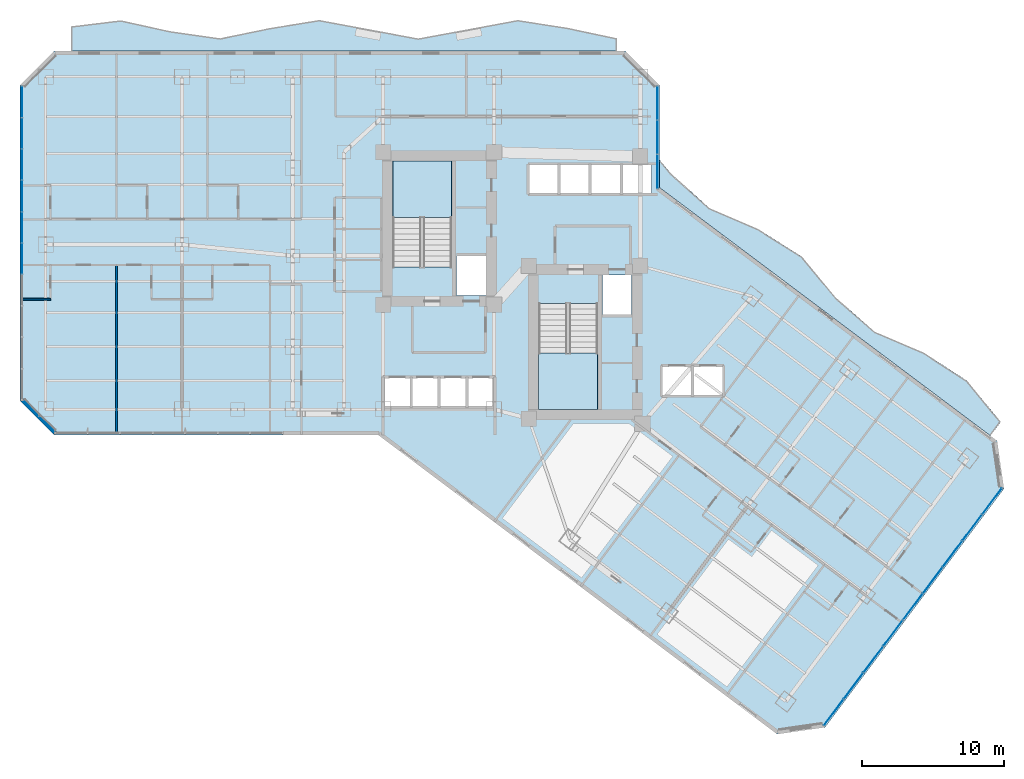
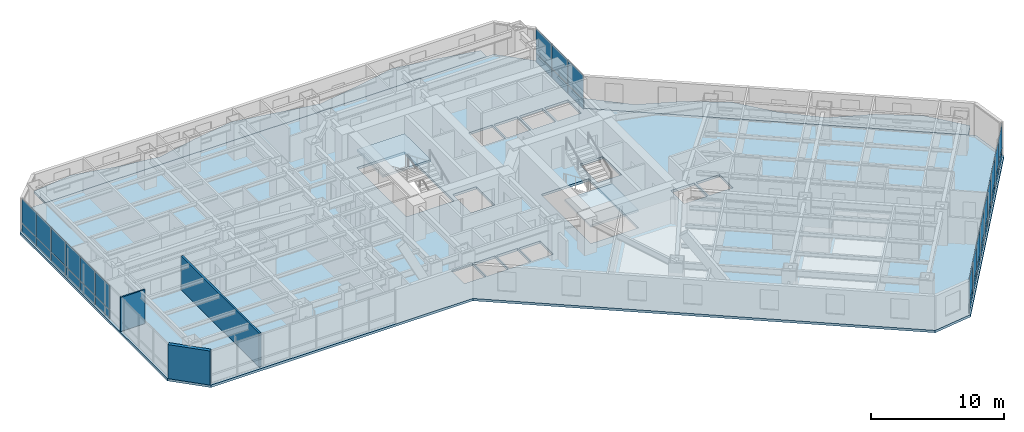
# One storey, part 21 of 32: 36 plates, 5 slabs, 3 walls, 5 elements without a shape of their own.
"""IFC4 building model written with IfcOpenShell, lengths in metres."""

from ifc_helpers import new_model, si_unit, direction, frame, frame_2d, origin, origin_2d, place, context, subcontext, project, spatial, polyline, rectangle, outline, extrude, material, layer, layer_set, type_object, element, aggregate, save


model = new_model("IFC4")

# Units and contexts
model_context = context("Model", 3, precision=1e-05, world=origin(), true_north=direction((0.0, 1.0)))
body_context = subcontext(model_context, "Body", "Model", "MODEL_VIEW")
ifc_project = project(units=[si_unit("LENGTHUNIT", "METRE"), si_unit("AREAUNIT", "SQUARE_METRE"), si_unit("VOLUMEUNIT", "CUBIC_METRE"), si_unit("PLANEANGLEUNIT", "RADIAN"), si_unit("MASSUNIT", "GRAM", prefix="KILO")], contexts=[model_context])

# Site, building, storey
site_placement = place(None, origin())
site = spatial("IfcSite", under=ifc_project, at=site_placement, CompositionType="ELEMENT")
building_placement = place(site_placement, origin())
building = spatial("IfcBuilding", under=site, at=building_placement, Name="Hatsunagi Terrace Concourse", CompositionType="ELEMENT")
storey_placement = place(building_placement, frame((0.0, 0.0, 36.60009765625)))
storey = spatial("IfcBuildingStorey", under=building, at=storey_placement, Name="L08", CompositionType="ELEMENT", Elevation=36.60009765625)

# Curtain wall, plates
ifc_material_1 = material(Name="Anodised Aluminium Alloy 6063-T5", Category="aluminium")
ifc_layer_1 = layer(ifc_material_1, 0.199951171875)
ifc_layer_set_1 = layer_set([ifc_layer_1], Name="HotelFacade_CW02")
curtain_wall_type = type_object("IfcCurtainWallType", Name="HotelFacade_CW02", PredefinedType="NOTDEFINED", material=ifc_layer_set_1)
curtain_wall_1_placement = place(storey_placement, origin())
curtain_wall_1 = element("IfcCurtainWall", 1, at=curtain_wall_1_placement, inside=storey, type_object=curtain_wall_type, Name="Unitised Curtain Wall CW-02 CW-L08-03", PredefinedType="NOTDEFINED")
ifc_material_2 = material(Name="Warm Terracotta Ceramic Spandrel Panel", Category="masonry")
ifc_layer_2 = layer(ifc_material_2, 0.031982421875)
ifc_layer_set_2 = layer_set([ifc_layer_2], Name="CurtainWallSpandrelPanel_32")
plate_type_1 = type_object("IfcPlateType", Name="CurtainWallSpandrelPanel_32", PredefinedType="SHEET", material=ifc_layer_set_2)
plate_1_placement = place(storey_placement, frame((68.39697265625, 18.72998046875, 0.02978515625), z_axis=(0.0, 0.0, 1.0), x_axis=(-0.599969314634, -0.800023013105, 0.0)))
plate_1 = element("IfcPlate", 2, at=plate_1_placement, type_object=plate_type_1, Name="Terracotta Spandrel Panel SPN-01", PredefinedType="SHEET", context=body_context, shape_type="SweptSolid", body=[
    extrude(rectangle(XDim=2.264892578125, YDim=0.031982421875, at=origin_2d()), origin(), (0.0, 0.0, 1.0), 0.7900390625),
])
plate_2_placement = place(storey_placement, frame((67.0048828125, 16.873046875, 0.02978515625), z_axis=(0.0, 0.0, 1.0), x_axis=(-0.599969314634, -0.800023013105, 0.0)))
plate_2 = element("IfcPlate", 3, at=plate_2_placement, type_object=plate_type_1, Name="Terracotta Spandrel Panel SPN-01", PredefinedType="SHEET", context=body_context, shape_type="SweptSolid", body=[
    extrude(rectangle(XDim=2.264892578125, YDim=0.031982421875, at=origin_2d()), origin(), (0.0, 0.0, 1.0), 0.7900390625),
])
plate_3_placement = place(storey_placement, frame((65.612060546875, 15.01708984375, 0.02978515625), z_axis=(0.0, 0.0, 1.0), x_axis=(-0.599969314634, -0.800023013105, 0.0)))
plate_3 = element("IfcPlate", 4, at=plate_3_placement, type_object=plate_type_1, Name="Terracotta Spandrel Panel SPN-01", PredefinedType="SHEET", context=body_context, shape_type="SweptSolid", body=[
    extrude(rectangle(XDim=2.264892578125, YDim=0.031982421875, at=origin_2d()), origin(), (0.0, 0.0, 1.0), 0.7900390625),
])
plate_4_placement = place(storey_placement, frame((64.219970703125, 13.159912109375, 0.02978515625), z_axis=(0.0, 0.0, 1.0), x_axis=(-0.599969314634, -0.800023013105, 0.0)))
plate_4 = element("IfcPlate", 5, at=plate_4_placement, type_object=plate_type_1, Name="Terracotta Spandrel Panel SPN-01", PredefinedType="SHEET", context=body_context, shape_type="SweptSolid", body=[
    extrude(rectangle(XDim=2.264892578125, YDim=0.031982421875, at=origin_2d()), origin(), (0.0, 0.0, 1.0), 0.7900390625),
])
plate_5_placement = place(storey_placement, frame((62.827880859375, 11.303955078125, 0.02978515625), z_axis=(0.0, 0.0, 1.0), x_axis=(-0.599969314634, -0.800023013105, 0.0)))
plate_5 = element("IfcPlate", 6, at=plate_5_placement, type_object=plate_type_1, Name="Terracotta Spandrel Panel SPN-01", PredefinedType="SHEET", context=body_context, shape_type="SweptSolid", body=[
    extrude(rectangle(XDim=2.264892578125, YDim=0.031982421875, at=origin_2d()), origin(), (0.0, 0.0, 1.0), 0.7900390625),
])
plate_6_placement = place(storey_placement, frame((61.43603515625, 9.447998046875, 0.02978515625), z_axis=(0.0, 0.0, 1.0), x_axis=(-0.599969314634, -0.800023013105, 0.0)))
plate_6 = element("IfcPlate", 7, at=plate_6_placement, type_object=plate_type_1, Name="Terracotta Spandrel Panel SPN-01", PredefinedType="SHEET", context=body_context, shape_type="SweptSolid", body=[
    extrude(rectangle(XDim=2.264892578125, YDim=0.031982421875, at=origin_2d()), origin(), (0.0, 0.0, 1.0), 0.7900390625),
])
plate_7_placement = place(storey_placement, frame((60.0439453125, 7.591064453125, 0.02978515625), z_axis=(0.0, 0.0, 1.0), x_axis=(-0.599969314634, -0.800023013105, 0.0)))
plate_7 = element("IfcPlate", 8, at=plate_7_placement, type_object=plate_type_1, Name="Terracotta Spandrel Panel SPN-01", PredefinedType="SHEET", context=body_context, shape_type="SweptSolid", body=[
    extrude(rectangle(XDim=2.264892578125, YDim=0.031982421875, at=origin_2d()), origin(), (0.0, 0.0, 1.0), 0.7900390625),
])
plate_8_placement = place(storey_placement, frame((58.65087890625, 5.735107421875, 0.02978515625), z_axis=(0.0, 0.0, 1.0), x_axis=(-0.599969314634, -0.800023013105, 0.0)))
plate_8 = element("IfcPlate", 9, at=plate_8_placement, type_object=plate_type_1, Name="Terracotta Spandrel Panel SPN-01", PredefinedType="SHEET", context=body_context, shape_type="SweptSolid", body=[
    extrude(rectangle(XDim=2.264892578125, YDim=0.031982421875, at=origin_2d()), origin(), (0.0, 0.0, 1.0), 0.7900390625),
])
plate_9_placement = place(storey_placement, frame((57.259033203125, 3.8779296875, 0.02978515625), z_axis=(0.0, 0.0, 1.0), x_axis=(-0.599969314634, -0.800023013105, 0.0)))
plate_9 = element("IfcPlate", 10, at=plate_9_placement, type_object=plate_type_1, Name="Terracotta Spandrel Panel SPN-01", PredefinedType="SHEET", context=body_context, shape_type="SweptSolid", body=[
    extrude(rectangle(XDim=2.264892578125, YDim=0.031982421875, at=origin_2d()), origin(), (0.0, 0.0, 1.0), 0.7900390625),
])

curtain_wall_2_placement = place(storey_placement, origin())
curtain_wall_2 = element("IfcCurtainWall", 11, at=curtain_wall_2_placement, inside=storey, type_object=curtain_wall_type, Name="Unitised Curtain Wall CW-02 CW-L08-09", PredefinedType="NOTDEFINED")
plate_10_placement = place(storey_placement, frame((0.139892578125, 35.7958984375, 0.02978515625), z_axis=(0.0, 0.0, 1.0), x_axis=(0.0, 1.0, 0.0)))
plate_10 = element("IfcPlate", 12, at=plate_10_placement, type_object=plate_type_1, Name="Terracotta Spandrel Panel SPN-01", PredefinedType="SHEET", context=body_context, shape_type="SweptSolid", body=[
    extrude(rectangle(XDim=2.153076171875, YDim=0.031982421875, at=origin_2d()), origin(), (0.0, 0.0, 1.0), 0.7900390625),
])
plate_11_placement = place(storey_placement, frame((0.139892578125, 38.00390625, 0.02978515625), z_axis=(0.0, 0.0, 1.0), x_axis=(0.0, 1.0, 0.0)))
plate_11 = element("IfcPlate", 13, at=plate_11_placement, type_object=plate_type_1, Name="Terracotta Spandrel Panel SPN-01", PredefinedType="SHEET", context=body_context, shape_type="SweptSolid", body=[
    extrude(rectangle(XDim=2.153076171875, YDim=0.031982421875, at=origin_2d()), origin(), (0.0, 0.0, 1.0), 0.7900390625),
])
plate_12_placement = place(storey_placement, frame((0.139892578125, 40.212890625, 0.02978515625), z_axis=(0.0, 0.0, 1.0), x_axis=(0.0, 1.0, 0.0)))
plate_12 = element("IfcPlate", 14, at=plate_12_placement, type_object=plate_type_1, Name="Terracotta Spandrel Panel SPN-01", PredefinedType="SHEET", context=body_context, shape_type="SweptSolid", body=[
    extrude(rectangle(XDim=2.153076171875, YDim=0.031982421875, at=origin_2d()), origin(), (0.0, 0.0, 1.0), 0.7900390625),
])
plate_13_placement = place(storey_placement, frame((0.139892578125, 42.4208984375, 0.02978515625), z_axis=(0.0, 0.0, 1.0), x_axis=(0.0, 1.0, 0.0)))
plate_13 = element("IfcPlate", 15, at=plate_13_placement, type_object=plate_type_1, Name="Terracotta Spandrel Panel SPN-01", PredefinedType="SHEET", context=body_context, shape_type="SweptSolid", body=[
    extrude(rectangle(XDim=2.153076171875, YDim=0.031982421875, at=origin_2d()), origin(), (0.0, 0.0, 1.0), 0.7900390625),
])
plate_14_placement = place(storey_placement, frame((0.139892578125, 44.62890625, 0.02978515625), z_axis=(0.0, 0.0, 1.0), x_axis=(0.0, 1.0, 0.0)))
plate_14 = element("IfcPlate", 16, at=plate_14_placement, type_object=plate_type_1, Name="Terracotta Spandrel Panel SPN-01", PredefinedType="SHEET", context=body_context, shape_type="SweptSolid", body=[
    extrude(rectangle(XDim=2.153076171875, YDim=0.031982421875, at=origin_2d()), origin(), (0.0, 0.0, 1.0), 0.7900390625),
])
plate_15_placement = place(storey_placement, frame((0.139892578125, 46.837890625, 0.02978515625), z_axis=(0.0, 0.0, 1.0), x_axis=(0.0, 1.0, 0.0)))
plate_15 = element("IfcPlate", 17, at=plate_15_placement, type_object=plate_type_1, Name="Terracotta Spandrel Panel SPN-01", PredefinedType="SHEET", context=body_context, shape_type="SweptSolid", body=[
    extrude(rectangle(XDim=2.153076171875, YDim=0.031982421875, at=origin_2d()), origin(), (0.0, 0.0, 1.0), 0.7900390625),
])

curtain_wall_3_placement = place(storey_placement, origin())
curtain_wall_3 = element("IfcCurtainWall", 18, at=curtain_wall_3_placement, inside=storey, type_object=curtain_wall_type, Name="Unitised Curtain Wall CW-02 CW-L08-13", PredefinedType="NOTDEFINED")
plate_16_placement = place(storey_placement, frame((44.860107421875, 46.739990234375, 0.02978515625), z_axis=(0.0, 0.0, 1.0), x_axis=(0.0, -1.0, 0.0)))
plate_16 = element("IfcPlate", 19, at=plate_16_placement, type_object=plate_type_1, Name="Terracotta Spandrel Panel SPN-01", PredefinedType="SHEET", context=body_context, shape_type="SweptSolid", body=[
    extrude(rectangle(XDim=2.34912109375, YDim=0.031982421875, at=origin_2d()), origin(), (0.0, 0.0, 1.0), 0.7900390625),
])
plate_17_placement = place(storey_placement, frame((44.860107421875, 44.3359375, 0.02978515625), z_axis=(0.0, 0.0, 1.0), x_axis=(0.0, -1.0, 0.0)))
plate_17 = element("IfcPlate", 20, at=plate_17_placement, type_object=plate_type_1, Name="Terracotta Spandrel Panel SPN-01", PredefinedType="SHEET", context=body_context, shape_type="SweptSolid", body=[
    extrude(rectangle(XDim=2.34912109375, YDim=0.031982421875, at=origin_2d()), origin(), (0.0, 0.0, 1.0), 0.7900390625),
])
plate_18_placement = place(storey_placement, frame((44.860107421875, 41.931884765625, 0.02978515625), z_axis=(0.0, 0.0, 1.0), x_axis=(0.0, -1.0, 0.0)))
plate_18 = element("IfcPlate", 21, at=plate_18_placement, type_object=plate_type_1, Name="Terracotta Spandrel Panel SPN-01", PredefinedType="SHEET", context=body_context, shape_type="SweptSolid", body=[
    extrude(rectangle(XDim=2.34912109375, YDim=0.031982421875, at=origin_2d()), origin(), (0.0, 0.0, 1.0), 0.7900390625),
])

# Plate
ifc_material_3 = material(Name="Low-E Double Insulating Glass 28mm", Category="glass")
ifc_layer_3 = layer(ifc_material_3, 0.028076171875)
ifc_layer_set_3 = layer_set([ifc_layer_3], Name="CurtainWallVisionGlass_28")
plate_type_2 = type_object("IfcPlateType", Name="CurtainWallVisionGlass_28", PredefinedType="CURTAIN_PANEL", material=ifc_layer_set_3)
plate_19_placement = place(storey_placement, frame((68.39697265625, 18.72998046875, 0.8798828125), z_axis=(0.0, 0.0, 1.0), x_axis=(-0.599969314634, -0.800023013105, 0.0)))
plate_19 = element("IfcPlate", 22, at=plate_19_placement, type_object=plate_type_2, Name="Low-E Vision Glass Panel GLZ-01", PredefinedType="CURTAIN_PANEL", context=body_context, shape_type="SweptSolid", body=[
    extrude(rectangle(XDim=2.264892578125, YDim=0.028076171875, at=origin_2d()), origin(), (0.0, 0.0, 1.0), 2.219970703125),
])

plate_20_placement = place(storey_placement, frame((67.0048828125, 16.873046875, 0.8798828125), z_axis=(0.0, 0.0, 1.0), x_axis=(-0.599969314634, -0.800023013105, 0.0)))
plate_20 = element("IfcPlate", 23, at=plate_20_placement, type_object=plate_type_2, Name="Low-E Vision Glass Panel GLZ-01", PredefinedType="CURTAIN_PANEL", context=body_context, shape_type="SweptSolid", body=[
    extrude(rectangle(XDim=2.264892578125, YDim=0.028076171875, at=origin_2d()), origin(), (0.0, 0.0, 1.0), 2.219970703125),
])

plate_21_placement = place(storey_placement, frame((65.612060546875, 15.01708984375, 0.8798828125), z_axis=(0.0, 0.0, 1.0), x_axis=(-0.599969314634, -0.800023013105, 0.0)))
plate_21 = element("IfcPlate", 24, at=plate_21_placement, type_object=plate_type_2, Name="Low-E Vision Glass Panel GLZ-01", PredefinedType="CURTAIN_PANEL", context=body_context, shape_type="SweptSolid", body=[
    extrude(rectangle(XDim=2.264892578125, YDim=0.028076171875, at=origin_2d()), origin(), (0.0, 0.0, 1.0), 2.219970703125),
])

plate_22_placement = place(storey_placement, frame((64.219970703125, 13.159912109375, 0.8798828125), z_axis=(0.0, 0.0, 1.0), x_axis=(-0.599969314634, -0.800023013105, 0.0)))
plate_22 = element("IfcPlate", 25, at=plate_22_placement, type_object=plate_type_2, Name="Low-E Vision Glass Panel GLZ-01", PredefinedType="CURTAIN_PANEL", context=body_context, shape_type="SweptSolid", body=[
    extrude(rectangle(XDim=2.264892578125, YDim=0.028076171875, at=origin_2d()), origin(), (0.0, 0.0, 1.0), 2.219970703125),
])

plate_23_placement = place(storey_placement, frame((62.827880859375, 11.303955078125, 0.8798828125), z_axis=(0.0, 0.0, 1.0), x_axis=(-0.599969314634, -0.800023013105, 0.0)))
plate_23 = element("IfcPlate", 26, at=plate_23_placement, type_object=plate_type_2, Name="Low-E Vision Glass Panel GLZ-01", PredefinedType="CURTAIN_PANEL", context=body_context, shape_type="SweptSolid", body=[
    extrude(rectangle(XDim=2.264892578125, YDim=0.028076171875, at=origin_2d()), origin(), (0.0, 0.0, 1.0), 2.219970703125),
])

plate_24_placement = place(storey_placement, frame((61.43603515625, 9.447998046875, 0.8798828125), z_axis=(0.0, 0.0, 1.0), x_axis=(-0.599969314634, -0.800023013105, 0.0)))
plate_24 = element("IfcPlate", 27, at=plate_24_placement, type_object=plate_type_2, Name="Low-E Vision Glass Panel GLZ-01", PredefinedType="CURTAIN_PANEL", context=body_context, shape_type="SweptSolid", body=[
    extrude(rectangle(XDim=2.264892578125, YDim=0.028076171875, at=origin_2d()), origin(), (0.0, 0.0, 1.0), 2.219970703125),
])

plate_25_placement = place(storey_placement, frame((60.0439453125, 7.591064453125, 0.8798828125), z_axis=(0.0, 0.0, 1.0), x_axis=(-0.599969314634, -0.800023013105, 0.0)))
plate_25 = element("IfcPlate", 28, at=plate_25_placement, type_object=plate_type_2, Name="Low-E Vision Glass Panel GLZ-01", PredefinedType="CURTAIN_PANEL", context=body_context, shape_type="SweptSolid", body=[
    extrude(rectangle(XDim=2.264892578125, YDim=0.028076171875, at=origin_2d()), origin(), (0.0, 0.0, 1.0), 2.219970703125),
])

plate_26_placement = place(storey_placement, frame((58.65087890625, 5.735107421875, 0.8798828125), z_axis=(0.0, 0.0, 1.0), x_axis=(-0.599969314634, -0.800023013105, 0.0)))
plate_26 = element("IfcPlate", 29, at=plate_26_placement, type_object=plate_type_2, Name="Low-E Vision Glass Panel GLZ-01", PredefinedType="CURTAIN_PANEL", context=body_context, shape_type="SweptSolid", body=[
    extrude(rectangle(XDim=2.264892578125, YDim=0.028076171875, at=origin_2d()), origin(), (0.0, 0.0, 1.0), 2.219970703125),
])

plate_27_placement = place(storey_placement, frame((57.259033203125, 3.8779296875, 0.8798828125), z_axis=(0.0, 0.0, 1.0), x_axis=(-0.599969314634, -0.800023013105, 0.0)))
plate_27 = element("IfcPlate", 30, at=plate_27_placement, type_object=plate_type_2, Name="Low-E Vision Glass Panel GLZ-01", PredefinedType="CURTAIN_PANEL", context=body_context, shape_type="SweptSolid", body=[
    extrude(rectangle(XDim=2.264892578125, YDim=0.028076171875, at=origin_2d()), origin(), (0.0, 0.0, 1.0), 2.219970703125),
])

aggregate(curtain_wall_1, [plate_1, plate_19, plate_2, plate_20, plate_3, plate_21, plate_4, plate_22, plate_5, plate_23, plate_6, plate_24, plate_7, plate_25, plate_8, plate_26, plate_9, plate_27])

plate_28_placement = place(storey_placement, frame((0.139892578125, 35.7958984375, 0.8798828125), z_axis=(0.0, 0.0, 1.0), x_axis=(0.0, 1.0, 0.0)))
plate_28 = element("IfcPlate", 31, at=plate_28_placement, type_object=plate_type_2, Name="Low-E Vision Glass Panel GLZ-01", PredefinedType="CURTAIN_PANEL", context=body_context, shape_type="SweptSolid", body=[
    extrude(rectangle(XDim=2.153076171875, YDim=0.028076171875, at=origin_2d()), origin(), (0.0, 0.0, 1.0), 2.219970703125),
])

plate_29_placement = place(storey_placement, frame((0.139892578125, 38.00390625, 0.8798828125), z_axis=(0.0, 0.0, 1.0), x_axis=(0.0, 1.0, 0.0)))
plate_29 = element("IfcPlate", 32, at=plate_29_placement, type_object=plate_type_2, Name="Low-E Vision Glass Panel GLZ-01", PredefinedType="CURTAIN_PANEL", context=body_context, shape_type="SweptSolid", body=[
    extrude(rectangle(XDim=2.153076171875, YDim=0.028076171875, at=origin_2d()), origin(), (0.0, 0.0, 1.0), 2.219970703125),
])

plate_30_placement = place(storey_placement, frame((0.139892578125, 40.212890625, 0.8798828125), z_axis=(0.0, 0.0, 1.0), x_axis=(0.0, 1.0, 0.0)))
plate_30 = element("IfcPlate", 33, at=plate_30_placement, type_object=plate_type_2, Name="Low-E Vision Glass Panel GLZ-01", PredefinedType="CURTAIN_PANEL", context=body_context, shape_type="SweptSolid", body=[
    extrude(rectangle(XDim=2.153076171875, YDim=0.028076171875, at=origin_2d()), origin(), (0.0, 0.0, 1.0), 2.219970703125),
])

plate_31_placement = place(storey_placement, frame((0.139892578125, 42.4208984375, 0.8798828125), z_axis=(0.0, 0.0, 1.0), x_axis=(0.0, 1.0, 0.0)))
plate_31 = element("IfcPlate", 34, at=plate_31_placement, type_object=plate_type_2, Name="Low-E Vision Glass Panel GLZ-01", PredefinedType="CURTAIN_PANEL", context=body_context, shape_type="SweptSolid", body=[
    extrude(rectangle(XDim=2.153076171875, YDim=0.028076171875, at=origin_2d()), origin(), (0.0, 0.0, 1.0), 2.219970703125),
])

plate_32_placement = place(storey_placement, frame((0.139892578125, 44.62890625, 0.8798828125), z_axis=(0.0, 0.0, 1.0), x_axis=(0.0, 1.0, 0.0)))
plate_32 = element("IfcPlate", 35, at=plate_32_placement, type_object=plate_type_2, Name="Low-E Vision Glass Panel GLZ-01", PredefinedType="CURTAIN_PANEL", context=body_context, shape_type="SweptSolid", body=[
    extrude(rectangle(XDim=2.153076171875, YDim=0.028076171875, at=origin_2d()), origin(), (0.0, 0.0, 1.0), 2.219970703125),
])

plate_33_placement = place(storey_placement, frame((0.139892578125, 46.837890625, 0.8798828125), z_axis=(0.0, 0.0, 1.0), x_axis=(0.0, 1.0, 0.0)))
plate_33 = element("IfcPlate", 36, at=plate_33_placement, type_object=plate_type_2, Name="Low-E Vision Glass Panel GLZ-01", PredefinedType="CURTAIN_PANEL", context=body_context, shape_type="SweptSolid", body=[
    extrude(rectangle(XDim=2.153076171875, YDim=0.028076171875, at=origin_2d()), origin(), (0.0, 0.0, 1.0), 2.219970703125),
])

aggregate(curtain_wall_2, [plate_10, plate_28, plate_11, plate_29, plate_12, plate_30, plate_13, plate_31, plate_14, plate_32, plate_15, plate_33])

plate_34_placement = place(storey_placement, frame((44.860107421875, 46.739990234375, 0.8798828125), z_axis=(0.0, 0.0, 1.0), x_axis=(0.0, -1.0, 0.0)))
plate_34 = element("IfcPlate", 37, at=plate_34_placement, type_object=plate_type_2, Name="Low-E Vision Glass Panel GLZ-01", PredefinedType="CURTAIN_PANEL", context=body_context, shape_type="SweptSolid", body=[
    extrude(rectangle(XDim=2.34912109375, YDim=0.028076171875, at=origin_2d()), origin(), (0.0, 0.0, 1.0), 2.219970703125),
])

plate_35_placement = place(storey_placement, frame((44.860107421875, 44.3359375, 0.8798828125), z_axis=(0.0, 0.0, 1.0), x_axis=(0.0, -1.0, 0.0)))
plate_35 = element("IfcPlate", 38, at=plate_35_placement, type_object=plate_type_2, Name="Low-E Vision Glass Panel GLZ-01", PredefinedType="CURTAIN_PANEL", context=body_context, shape_type="SweptSolid", body=[
    extrude(rectangle(XDim=2.34912109375, YDim=0.028076171875, at=origin_2d()), origin(), (0.0, 0.0, 1.0), 2.219970703125),
])

plate_36_placement = place(storey_placement, frame((44.860107421875, 41.931884765625, 0.8798828125), z_axis=(0.0, 0.0, 1.0), x_axis=(0.0, -1.0, 0.0)))
plate_36 = element("IfcPlate", 39, at=plate_36_placement, type_object=plate_type_2, Name="Low-E Vision Glass Panel GLZ-01", PredefinedType="CURTAIN_PANEL", context=body_context, shape_type="SweptSolid", body=[
    extrude(rectangle(XDim=2.34912109375, YDim=0.028076171875, at=origin_2d()), origin(), (0.0, 0.0, 1.0), 2.219970703125),
])

aggregate(curtain_wall_3, [plate_16, plate_34, plate_17, plate_35, plate_18, plate_36])

# Stair, slab
ifc_material_4 = material(Name="Concrete Fc42", Category="concrete")
stair_type = type_object("IfcStairType", Name="DoglegExitStair_Tower2000_20R_168", PredefinedType="HALF_TURN_STAIR", material=ifc_material_4)
stair_1_placement = place(storey_placement, origin())
stair_1 = element("IfcStair", 40, at=stair_1_placement, inside=storey, type_object=stair_type, Name="L08 Core A Protected Exit Stair ST-A", PredefinedType="HALF_TURN_STAIR")
ifc_material_5 = material(Name="Concrete Fc42", Category="concrete")
ifc_layer_4 = layer(ifc_material_5, 0.199951171875)
ifc_layer_set_4 = layer_set([ifc_layer_4], Name="DoglegStairLanding_Tower2000")
slab_type_1 = type_object("IfcSlabType", Name="DoglegStairLanding_Tower2000", PredefinedType="LANDING", material=ifc_layer_set_4)
slab_1_placement = place(storey_placement, frame((0.0, 0.0, 1.474853515625)))
slab_1 = element("IfcSlab", 41, at=slab_1_placement, type_object=slab_type_1, Name="ST-A landing 1", PredefinedType="LANDING", context=body_context, shape_type="SweptSolid", body=[
    extrude(outline(polyline([(30.3798828125, 38.7099609375), (30.3798828125, 42.659912109375), (26.22998046875, 42.659912109375), (26.22998046875, 38.7099609375), (30.3798828125, 38.7099609375)])), origin(), (0.0, 0.0, 1.0), 0.199951171875),
])
aggregate(stair_1, [slab_1])

stair_2_placement = place(storey_placement, origin())
stair_2 = element("IfcStair", 42, at=stair_2_placement, inside=storey, type_object=stair_type, Name="L08 Core B Protected Exit Stair ST-B", PredefinedType="HALF_TURN_STAIR")
slab_2_placement = place(storey_placement, frame((0.0, 0.0, 1.474853515625)))
slab_2 = element("IfcSlab", 43, at=slab_2_placement, type_object=slab_type_1, Name="ST-B landing 1", PredefinedType="LANDING", context=body_context, shape_type="SweptSolid", body=[
    extrude(outline(polyline([(36.5, 29.14990234375), (36.5, 25.199951171875), (40.64990234375, 25.199951171875), (40.64990234375, 29.14990234375), (36.5, 29.14990234375)])), origin(), (0.0, 0.0, 1.0), 0.199951171875),
])
aggregate(stair_2, [slab_2])

# Slabs
ifc_material_6 = material(Name="Concrete Fc42", Category="concrete")
ifc_layer_5 = layer(ifc_material_6, 0.199951171875)
ifc_layer_set_5 = layer_set([ifc_layer_5], Name="EngawaBalconySlab_Fc42_200")
slab_type_2 = type_object("IfcSlabType", Name="EngawaBalconySlab_Fc42_200", PredefinedType="FLOOR", material=ifc_layer_set_5)
slab_3_placement = place(storey_placement, frame((0.0, 0.0, -0.2001953125)))
element("IfcSlab", 44, at=slab_3_placement, inside=storey, type_object=slab_type_2, Name="Engawa Balcony Slab BAL-L08-BN", PredefinedType="FLOOR", context=body_context, shape_type="SweptSolid", body=[
    extrude(outline(polyline([(3.60009765625, 52.15087890625), (3.60009765625, 50.39990234375), (42.0, 50.39990234375), (42.0, 51.31396484375), (38.509033203125, 52.054931640625), (35.01806640625, 52.595947265625), (31.527099609375, 51.906982421875), (28.035888671875, 51.300048828125), (21.054931640625, 52.597900390625), (17.56396484375, 52.030029296875), (14.072998046875, 51.31005859375), (10.58203125, 51.80908203125), (7.091064453125, 52.576904296875), (3.60009765625, 52.15087890625)])), origin(), (0.0, 0.0, 1.0), 0.2001953125),
])
slab_4_placement = place(storey_placement, frame((0.0, 0.0, -0.2001953125)))
element("IfcSlab", 45, at=slab_4_placement, inside=storey, type_object=slab_type_2, Name="Engawa Balcony Slab BAL-L08-BSE", PredefinedType="FLOOR", context=body_context, shape_type="SweptSolid", body=[
    extrude(outline(polyline([(45.799072265625, 41.81005859375), (44.99609375, 42.77392578125), (44.99609375, 40.802978515625), (68.280029296875, 23.340087890625), (69.011962890625, 24.31591796875), (66.64208984375, 27.2119140625), (63.5849609375, 29.19091796875), (60.14599609375, 30.660888671875), (57.405029296875, 33.06298828125), (55.02587890625, 35.946044921875), (51.93798828125, 37.884033203125), (48.509033203125, 39.366943359375), (45.799072265625, 41.81005859375)])), origin(), (0.0, 0.0, 1.0), 0.2001953125),
])
ifc_material_7 = material(Name="Concrete Fc42", Category="concrete")
ifc_layer_6 = layer(ifc_material_7, 0.219970703125)
ifc_layer_set_6 = layer_set([ifc_layer_6], Name="HotelFloorSlab_Fc42_220")
slab_type_3 = type_object("IfcSlabType", Name="HotelFloorSlab_Fc42_220", PredefinedType="FLOOR", material=ifc_layer_set_6)
slab_5_placement = place(storey_placement, frame((0.0, 0.0, -0.22021484375)))
element("IfcSlab", 46, at=slab_5_placement, inside=storey, type_object=slab_type_3, Name="Floor Slab SL-220 L08", PredefinedType="FLOOR", context=body_context, shape_type="SweptSolid", body=[
    extrude(outline(polyline([(45.0, 40.800048828125), (45.0, 48.0), (42.60009765625, 50.39990234375), (2.39990234375, 50.39990234375), (0.0, 48.0), (0.0, 25.800048828125), (2.39990234375, 23.39990234375), (25.199951171875, 23.39990234375), (53.280029296875, 2.340087890625), (56.639892578125, 2.820068359375), (69.239990234375, 19.6201171875), (68.760009765625, 22.97998046875), (45.0, 40.800048828125)]), holes=[polyline([(26.22998046875, 35.205078125), (30.3798828125, 35.205078125), (30.3798828125, 42.659912109375), (26.22998046875, 42.659912109375), (26.22998046875, 35.205078125)]), polyline([(36.5, 25.199951171875), (40.64990234375, 25.199951171875), (40.64990234375, 32.655029296875), (36.5, 32.655029296875), (36.5, 25.199951171875)]), polyline([(30.719970703125, 33.219970703125), (32.780029296875, 33.219970703125), (32.780029296875, 35.97998046875), (30.719970703125, 35.97998046875), (30.719970703125, 33.219970703125)]), polyline([(40.97998046875, 31.8798828125), (43.02001953125, 31.8798828125), (43.02001953125, 34.639892578125), (40.97998046875, 34.639892578125), (40.97998046875, 31.8798828125)]), polyline([(25.6201171875, 25.39990234375), (27.47998046875, 25.39990234375), (27.47998046875, 27.39990234375), (25.6201171875, 27.39990234375), (25.6201171875, 25.39990234375)]), polyline([(27.580078125, 25.39990234375), (29.43994140625, 25.39990234375), (29.43994140625, 27.39990234375), (27.580078125, 27.39990234375), (27.580078125, 25.39990234375)]), polyline([(29.5400390625, 25.39990234375), (31.39990234375, 25.39990234375), (31.39990234375, 27.39990234375), (29.5400390625, 27.39990234375), (29.5400390625, 25.39990234375)]), polyline([(31.5, 25.39990234375), (33.360107421875, 25.39990234375), (33.360107421875, 27.39990234375), (31.5, 27.39990234375), (31.5, 25.39990234375)]), polyline([(35.800048828125, 40.39990234375), (37.85009765625, 40.39990234375), (37.85009765625, 42.39990234375), (35.800048828125, 42.39990234375), (35.800048828125, 40.39990234375)]), polyline([(38.0, 40.39990234375), (40.050048828125, 40.39990234375), (40.050048828125, 42.39990234375), (38.0, 42.39990234375), (38.0, 40.39990234375)]), polyline([(40.199951171875, 40.39990234375), (42.25, 40.39990234375), (42.25, 42.39990234375), (40.199951171875, 42.39990234375), (40.199951171875, 40.39990234375)]), polyline([(42.39990234375, 40.39990234375), (44.449951171875, 40.39990234375), (44.449951171875, 42.39990234375), (42.39990234375, 42.39990234375), (42.39990234375, 40.39990234375)]), polyline([(45.199951171875, 26.199951171875), (47.25, 26.199951171875), (47.25, 28.199951171875), (45.199951171875, 28.199951171875), (45.199951171875, 26.199951171875)]), polyline([(47.39990234375, 26.199951171875), (49.449951171875, 26.199951171875), (49.449951171875, 28.199951171875), (47.39990234375, 28.199951171875), (47.39990234375, 26.199951171875)])]), origin(), (0.0, 0.0, 1.0), 0.22021484375),
])

# Walls
ifc_material_8 = material(Name="Acoustic mineral board", Category="gypsum")
ifc_layer_7 = layer(ifc_material_8, 0.1201171875)
ifc_layer_set_7 = layer_set([ifc_layer_7], Name="PartitionWall_EI30_120")
wall_type_1 = type_object("IfcWallType", Name="PartitionWall_EI30_120", PredefinedType="PARTITIONING", material=ifc_layer_set_7)
wall_1_placement = place(storey_placement, frame((0.0400390625, 32.949951171875, 0.0), z_axis=(0.0, 0.0, 1.0), x_axis=(1.0, 0.0, 0.0)))
element("IfcWall", 47, at=wall_1_placement, inside=storey, type_object=wall_type_1, Name="Interior Partition IW-L08-062", PredefinedType="PARTITIONING", context=body_context, shape_type="SweptSolid", body=[
    extrude(rectangle(XDim=2.10986328125, YDim=0.1201171875, at=frame_2d((1.054931640625, 0.0))), origin(), (0.0, 0.0, 1.0), 3.1298828125),
])
ifc_material_9 = material(Name="Acoustic mineral board", Category="gypsum")
ifc_layer_8 = layer(ifc_material_9, 0.14990234375)
ifc_layer_set_8 = layer_set([ifc_layer_8], Name="PartitionWall_EI60_150")
wall_type_2 = type_object("IfcWallType", Name="PartitionWall_EI60_150", PredefinedType="PARTITIONING", material=ifc_layer_set_8)
wall_2_placement = place(storey_placement, frame((6.800048828125, 23.60009765625, 0.0), z_axis=(0.0, 0.0, 1.0), x_axis=(0.0, 1.0, 0.0)))
element("IfcWall", 48, at=wall_2_placement, inside=storey, type_object=wall_type_2, Name="Interior Partition IW-L08-063", PredefinedType="PARTITIONING", context=body_context, shape_type="SweptSolid", body=[
    extrude(rectangle(XDim=11.75, YDim=0.14990234375, at=frame_2d((5.875, 0.0))), origin(), (0.0, 0.0, 1.0), 3.1298828125),
])
ifc_material_10 = material(Name="Autoclaved Lightweight Concrete and Terracotta Cladding", Category="masonry")
ifc_layer_9 = layer(ifc_material_10, 0.280029296875)
ifc_layer_set_9 = layer_set([ifc_layer_9], Name="TerracottaSpandrelWall_280")
wall_type_3 = type_object("IfcWallType", Name="TerracottaSpandrelWall_280", PredefinedType="STANDARD", material=ifc_layer_set_9)
wall_3_placement = place(storey_placement, frame((2.4580078125, 23.5400390625, 0.0), z_axis=(0.0, 0.0, 1.0), x_axis=(-0.707144017911, 0.707069542501, 0.0)))
element("IfcWall", 49, at=wall_3_placement, inside=storey, type_object=wall_type_3, Name="Exterior Spandrel Wall EW-L08-08", PredefinedType="STANDARD", context=body_context, shape_type="SweptSolid", body=[
    extrude(rectangle(XDim=3.278076171875, YDim=0.280029296875, at=frame_2d((1.63916015625, 0.0))), origin(), (0.0, 0.0, 1.0), 3.1298828125),
])

save(model, "model.ifc")
